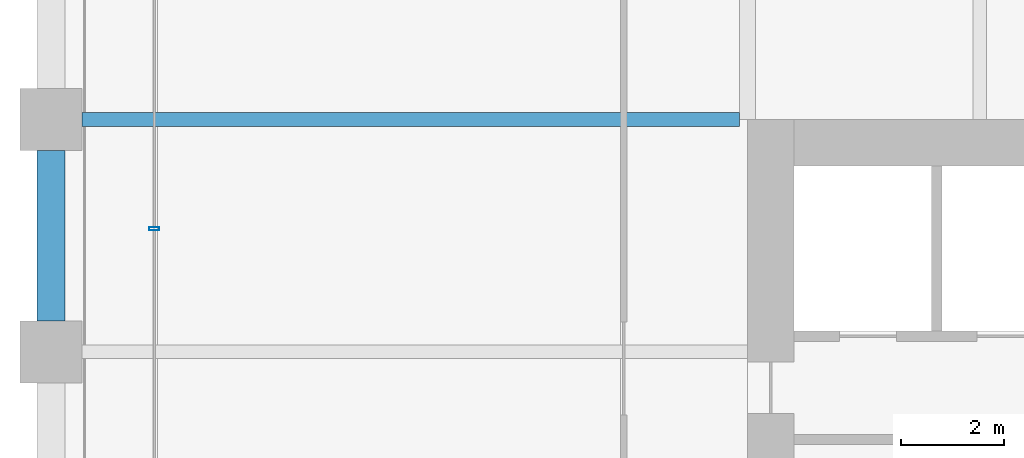
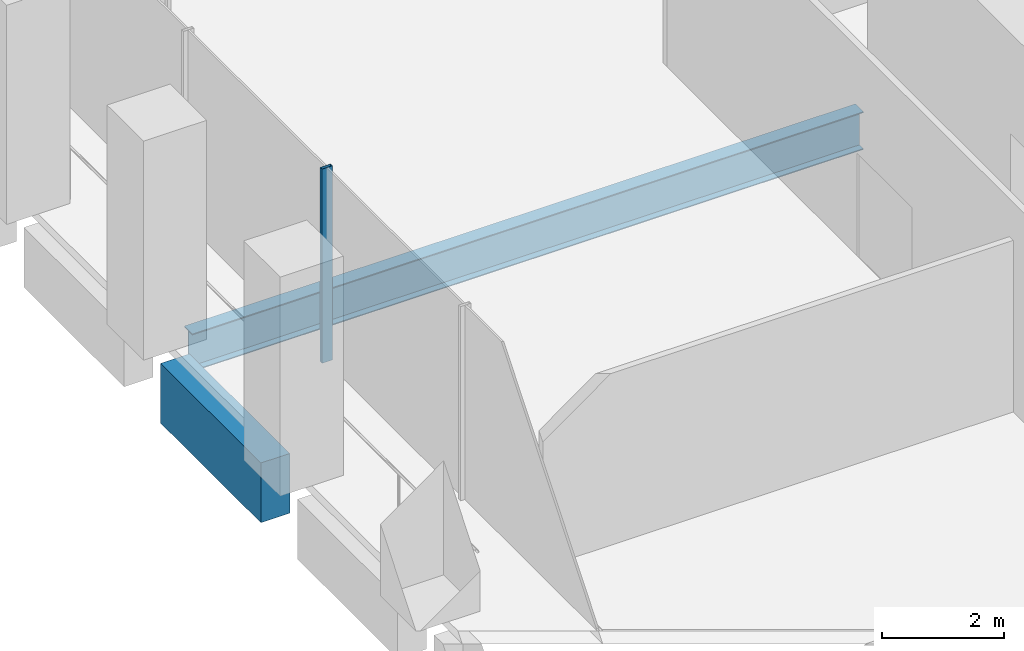
# One storey, part 8 of 36: 2 beams, 1 member, 1 element without a shape of its own.
"""IFC4 building model written with IfcOpenShell, lengths in metres."""

from ifc_helpers import new_model, si_unit, direction, frame, origin, origin_2d, place, context, subcontext, project, spatial, rectangle, hollow_rectangle, i_section, extrude, material, material_profile, profile_set, type_object, element, aggregate, save


model = new_model("IFC4")

# Units and contexts
model_context = context("Model", 3, precision=1e-05, world=origin(), true_north=direction((0.0, 1.0)))
body_context = subcontext(model_context, "Body", "Model", "MODEL_VIEW")
ifc_project = project(units=[si_unit("LENGTHUNIT", "METRE"), si_unit("AREAUNIT", "SQUARE_METRE"), si_unit("VOLUMEUNIT", "CUBIC_METRE"), si_unit("PLANEANGLEUNIT", "RADIAN"), si_unit("MASSUNIT", "GRAM", prefix="KILO")], contexts=[model_context])

# Site, building, storey
site_placement = place(None, origin())
site = spatial("IfcSite", under=ifc_project, at=site_placement, CompositionType="ELEMENT")
building_placement = place(site_placement, origin())
building = spatial("IfcBuilding", under=site, at=building_placement, Name="Altepetl Exchange Towers", CompositionType="ELEMENT")
storey_placement = place(building_placement, frame((0.0, 0.0, 38.60009765625)))
storey = spatial("IfcBuildingStorey", under=building, at=storey_placement, Name="L08", CompositionType="ELEMENT", Elevation=38.60009765625)

# Beam
ifc_material_1 = material(Name="Steel S355", Category="steel")
ifc_material_profile_1 = material_profile(ifc_material_1, i_section(OverallWidth=0.26611328125, OverallDepth=0.758056640625, WebThickness=0.013916015625, FlangeThickness=0.019287109375, at=origin_2d()), Name="W30X108")
ifc_profile_set_1 = profile_set([ifc_material_profile_1], Name="Steel S355")
beam_type_1 = type_object("IfcBeamType", Name="Floor beam W30X108", PredefinedType="BEAM", material=ifc_profile_set_1)
beam_1_placement = place(storey_placement, frame((27.60009765625, 58.5, -0.55419921875), z_axis=(1.0, 0.0, 0.0), x_axis=(0.0, 1.0, 0.0)))
element("IfcBeam", 1, at=beam_1_placement, inside=storey, type_object=beam_type_1, Name="bm:A:L08:021", PredefinedType="BEAM", context=body_context, shape_type="SweptSolid", body=[
    extrude(i_section(OverallWidth=0.26611328125, OverallDepth=0.758056640625, WebThickness=0.013916015625, FlangeThickness=0.019287109375, at=origin_2d()), origin(), (0.0, 0.0, 1.0), 12.745849609375),
])

# Curtain wall, member
ifc_material_2 = material(Name="Aluminium 6063-T6 glazing", Category="aluminium")
curtain_wall_type = type_object("IfcCurtainWallType", Name="Trading floor glazing system", PredefinedType="NOTDEFINED", material=ifc_material_2)
curtain_wall_placement = place(storey_placement, origin())
curtain_wall = element("IfcCurtainWall", 2, at=curtain_wall_placement, inside=storey, type_object=curtain_wall_type, Name="CW2 run", PredefinedType="NOTDEFINED")
ifc_material_3 = material(Name="Aluminium 6063-T6", Category="aluminium")
ifc_material_profile_2 = material_profile(ifc_material_3, hollow_rectangle(XDim=0.06005859375, YDim=0.199951171875, WallThickness=0.0029296875, at=origin_2d()), Name="Mullion 60x200 aluminium")
ifc_profile_set_2 = profile_set([ifc_material_profile_2], Name="Aluminium 6063-T6")
member_type = type_object("IfcMemberType", Name="Mullion 60x200 aluminium", PredefinedType="MULLION", material=ifc_profile_set_2)
member_placement = place(storey_placement, frame((29.0, 56.3857421875, 0.0), z_axis=(0.0, 0.0, 1.0), x_axis=(0.0, -1.0, 0.0)))
member = element("IfcMember", 3, at=member_placement, type_object=member_type, Name="MU2 mullion", PredefinedType="MULLION", context=body_context, shape_type="SweptSolid", body=[
    extrude(hollow_rectangle(XDim=0.06005859375, YDim=0.199951171875, WallThickness=0.0029296875, at=origin_2d()), origin(), (0.0, 0.0, 1.0), 3.89990234375),
])
aggregate(curtain_wall, [member])

# Beam
ifc_material_4 = material(Name="Concrete C50/60 precast with tezontle facing", Category="concrete")
ifc_material_profile_3 = material_profile(ifc_material_4, rectangle(XDim=0.550048828125, YDim=1.199951171875, at=origin_2d()), Name="550 x 1200")
ifc_profile_set_3 = profile_set([ifc_material_profile_3], Name="Concrete C50/60 precast with tezontle facing")
beam_type_2 = type_object("IfcBeamType", Name="Spandrel beam 550x1200 tezontle", PredefinedType="SPANDREL", material=ifc_profile_set_3)
beam_2_placement = place(storey_placement, frame((27.0, 57.89990234375, -0.775146484375), z_axis=(0.0, -1.0, 0.0), x_axis=(1.0, 0.0, 0.0)))
element("IfcBeam", 4, at=beam_2_placement, inside=storey, type_object=beam_type_2, Name="sp:A:L08:038", PredefinedType="SPANDREL", context=body_context, shape_type="SweptSolid", body=[
    extrude(rectangle(XDim=0.550048828125, YDim=1.199951171875, at=origin_2d()), origin(), (0.0, 0.0, 1.0), 3.2998046875),
])

save(model, "model.ifc")
